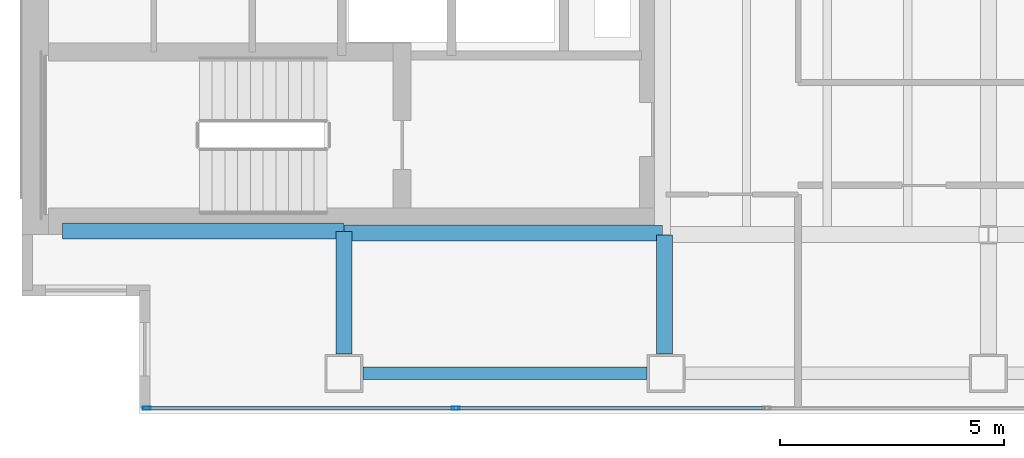
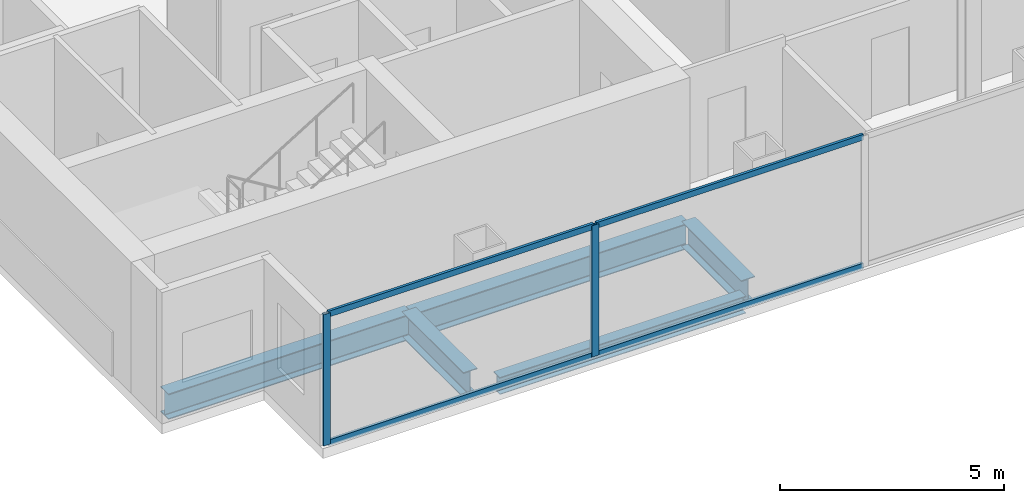
# One storey, part 2 of 23: 6 members, 5 beams, 1 element without a shape of its own.
"""IFC4 building model written with IfcOpenShell, lengths in metres."""

import ifcopenshell
import ifcopenshell.guid

model = None  # the IFC model being written
_history = None  # IfcOwnerHistory: only IFC2X3 demands one
_inside = {}  # id of a spatial element -> (the spatial element, [elements in it])
_under = {}  # id of a project, library or spatial element -> (it, [spatial elements below it])
_declared = {}  # id of a project -> (the project, [libraries it declares])
_typed = {}  # id of a type object -> (the type object, [elements of that type])
_made_of = {}  # id of a material, layer set ... -> (it, [elements and type objects made of it])


def new_model(schema):
    """Start an empty IFC model of exactly this schema.

    Asked for "IFC4X3", IfcOpenShell would pick the latest addendum, in which some entities
    have other attributes; the version numbers below select the first issue.
    IFC2X3 requires an IfcOwnerHistory on every rooted entity: one is made here for all.
    """
    global model, _history
    if schema == "IFC4X3":
        model = ifcopenshell.file(schema_version=(4, 3, 0, 0))
    else:
        model = ifcopenshell.file(schema=schema)
    _inside.clear()
    _under.clear()
    _declared.clear()
    _typed.clear()
    _made_of.clear()
    _history = None
    if model.schema == "IFC2X3":
        org = make("IfcOrganization", Name="unknown")
        user = make(
            "IfcPersonAndOrganization",
            ThePerson=make("IfcPerson", FamilyName="unknown"),
            TheOrganization=org,
        )
        app = make(
            "IfcApplication",
            ApplicationDeveloper=org,
            Version="unknown",
            ApplicationFullName="unknown",
            ApplicationIdentifier="unknown",
        )
        _history = make(
            "IfcOwnerHistory",
            OwningUser=user,
            OwningApplication=app,
            ChangeAction="ADDED",
            CreationDate=0,
        )
    return model


def make(cls, **values):
    """One entity of the class cls with the attributes given. An attribute that is None is left unset."""
    return model.create_entity(
        cls, **{name: value for name, value in values.items() if value is not None}
    )


def rooted(cls, **values):
    """An entity with a GlobalId (a new one), such as an element, a storey or a relation."""
    return make(cls, GlobalId=ifcopenshell.guid.new(), OwnerHistory=_history, **values)


def si_unit(unit_type, name, prefix=None):
    """IfcSIUnit, for example si_unit("LENGTHUNIT", "METRE", prefix="MILLI")."""
    return make("IfcSIUnit", UnitType=unit_type, Prefix=prefix, Name=name)


def assignment(units):
    """IfcUnitAssignment: the units of a project."""
    return None if units is None else make("IfcUnitAssignment", Units=units)


def point(xyz):
    """IfcCartesianPoint."""
    return None if xyz is None else make("IfcCartesianPoint", Coordinates=xyz)


def direction(xyz):
    """IfcDirection."""
    return None if xyz is None else make("IfcDirection", DirectionRatios=xyz)


def frame(location, z_axis=None, x_axis=None):
    """IfcAxis2Placement3D, a coordinate frame: its origin and axes. An axis left out is left unset."""
    return make(
        "IfcAxis2Placement3D",
        Location=point(location),
        Axis=direction(z_axis),
        RefDirection=direction(x_axis),
    )


def frame_2d(location, x_axis=None):
    """IfcAxis2Placement2D, a coordinate frame in the plane: its origin and x axis."""
    return make(
        "IfcAxis2Placement2D", Location=point(location), RefDirection=direction(x_axis)
    )


def origin():
    """The frame at (0, 0, 0) with its axes left unset."""
    return frame((0.0, 0.0, 0.0))


def origin_2d():
    """The frame at (0, 0) in the plane with its x axis left unset."""
    return frame_2d((0.0, 0.0))


def place(relative_to, where):
    """IfcLocalPlacement: puts the frame where relative to a parent placement (None: the world)."""
    return make(
        "IfcLocalPlacement", PlacementRelTo=relative_to, RelativePlacement=where
    )


def context(
    kind, dimensions, precision=None, world=None, true_north=None, identifier=None
):
    """IfcGeometricRepresentationContext, for example the 3D "Model" context."""
    return make(
        "IfcGeometricRepresentationContext",
        ContextIdentifier=identifier,
        ContextType=kind,
        CoordinateSpaceDimension=dimensions,
        Precision=precision,
        WorldCoordinateSystem=world,
        TrueNorth=true_north,
    )


def subcontext(parent, identifier, kind, view, scale=None):
    """IfcGeometricRepresentationSubContext, for example "Body" below "Model"."""
    return make(
        "IfcGeometricRepresentationSubContext",
        ContextIdentifier=identifier,
        ContextType=kind,
        ParentContext=parent,
        TargetScale=scale,
        TargetView=view,
    )


def project(units=None, contexts=None):
    """IfcProject with its units and contexts."""
    return rooted(
        "IfcProject",
        Name="project",
        RepresentationContexts=contexts,
        UnitsInContext=assignment(units),
    )


def spatial(cls, under=None, at=None, **own):
    """A site, building, storey or space (cls), placed at a placement, below another one or the project."""
    s = rooted(cls, ObjectPlacement=at, **own)
    if under is not None:
        _under.setdefault(under.id(), (under, []))[1].append(s)
    return s


def profile(cls, at=None, kind="AREA", **sizes):
    """A parametric profile (cls). Its sizes go by their IFC names, for example OverallWidth=200.0."""
    return make(cls, ProfileType=kind, Position=at, **sizes)


def hollow_rectangle(**sizes):
    """IfcRectangleHollowProfileDef."""
    return profile("IfcRectangleHollowProfileDef", **sizes)


def i_section(**sizes):
    """IfcIShapeProfileDef."""
    return profile("IfcIShapeProfileDef", **sizes)


def extrude(swept, where, along, depth):
    """IfcExtrudedAreaSolid: the profile swept, set in the frame where, extruded along a direction by depth."""
    return make(
        "IfcExtrudedAreaSolid",
        SweptArea=swept,
        Position=where,
        ExtrudedDirection=direction(along),
        Depth=depth,
    )


def shape(context_of_items, identifier, shape_type, items):
    """IfcShapeRepresentation: the items that make up one representation, for example the "Body"."""
    return make(
        "IfcShapeRepresentation",
        ContextOfItems=context_of_items,
        RepresentationIdentifier=identifier,
        RepresentationType=shape_type,
        Items=items,
    )


def material(Name=None, Category=None):
    """IfcMaterial."""
    return make("IfcMaterial", Name=Name, Category=Category)


def material_profile(
    of_material, cross_section, Name=None, Category=None, Priority=None
):
    """IfcMaterialProfile: a cross section and its material."""
    return make(
        "IfcMaterialProfile",
        Name=Name,
        Material=of_material,
        Profile=cross_section,
        Priority=Priority,
        Category=Category,
    )


def profile_set(profiles, Name=None, composite=None):
    """IfcMaterialProfileSet."""
    return make(
        "IfcMaterialProfileSet",
        Name=Name,
        MaterialProfiles=profiles,
        CompositeProfile=composite,
    )


def made_of(thing, what):
    """Note that an element or type object is made of a material, layer set ...; save() writes the relation."""
    if what is not None:
        _made_of.setdefault(what.id(), (what, []))[1].append(thing)
    return thing


def type_object(cls, material=None, **own):
    """A type object (cls), such as IfcWallType, which elements share."""
    return made_of(rooted(cls, **own), material)


def element(
    cls,
    number,
    at=None,
    inside=None,
    cuts=None,
    type_object=None,
    material=None,
    context=None,
    identifier="Body",
    shape_type=None,
    held_by="IfcProductDefinitionShape",
    body=None,
    shapes=None,
    **own,
):
    """One element of the class cls, such as IfcWall. Its Tag is "e" and its number.

    at: its placement. inside: the storey or other place that contains it. cuts: it is an
    opening in that element (IfcRelVoidsElement). A single representation is given by context,
    identifier, shape_type and body (its items); several are given by shapes. held_by: the class
    of the entity that holds the representations. save() writes the other relations.
    """
    e = rooted(cls, Tag="e%d" % number, ObjectPlacement=at, **own)
    if body is not None:
        shapes = [shape(context, identifier, shape_type, body)]
    if shapes is not None:
        e.Representation = make(held_by, Representations=shapes)
    if inside is not None:
        _inside.setdefault(inside.id(), (inside, []))[1].append(e)
    if cuts is not None:
        rooted(
            "IfcRelVoidsElement", RelatingBuildingElement=cuts, RelatedOpeningElement=e
        )
    if type_object is not None:
        _typed.setdefault(type_object.id(), (type_object, []))[1].append(e)
    return made_of(e, material)


def aggregate(whole, parts):
    """IfcRelAggregates: a whole, such as a stair, and the parts it consists of."""
    return rooted("IfcRelAggregates", RelatingObject=whole, RelatedObjects=parts)


def save(model, path):
    """Write the relations noted so far, then the file.

    IfcRelAggregates (storeys below a building ...), IfcRelContainedInSpatialStructure (elements
    in a storey), IfcRelDefinesByType, IfcRelAssociatesMaterial and IfcRelDeclares: one each for
    every whole, place, type object, material and project.
    """
    for whole, parts in _under.values():
        aggregate(whole, parts)
    for where, things in _inside.values():
        rooted(
            "IfcRelContainedInSpatialStructure",
            RelatedElements=things,
            RelatingStructure=where,
        )
    for kind, things in _typed.values():
        rooted("IfcRelDefinesByType", RelatedObjects=things, RelatingType=kind)
    for what, things in _made_of.values():
        rooted("IfcRelAssociatesMaterial", RelatedObjects=things, RelatingMaterial=what)
    for by, libraries in _declared.values():
        rooted("IfcRelDeclares", RelatingContext=by, RelatedDefinitions=libraries)
    model.write(path)


model = new_model("IFC4")

# Units and contexts
model_context = context("Model", 3, precision=1e-05, world=origin(), true_north=direction((0.0, 1.0)))
body_context = subcontext(model_context, "Body", "Model", "MODEL_VIEW")
ifc_project = project(units=[si_unit("LENGTHUNIT", "METRE"), si_unit("AREAUNIT", "SQUARE_METRE"), si_unit("VOLUMEUNIT", "CUBIC_METRE"), si_unit("PLANEANGLEUNIT", "RADIAN"), si_unit("MASSUNIT", "GRAM", prefix="KILO")], contexts=[model_context])

# Site, building, storey
site_placement = place(None, origin())
site = spatial("IfcSite", under=ifc_project, at=site_placement, CompositionType="ELEMENT")
building_placement = place(site_placement, origin())
building = spatial("IfcBuilding", under=site, at=building_placement, Name="Cobrela Telecom Tower", CompositionType="ELEMENT")
storey_placement = place(building_placement, frame((0.0, 0.0, 159.949951171875)))
storey = spatial("IfcBuildingStorey", under=building, at=storey_placement, Name="L40", CompositionType="ELEMENT", Elevation=159.949951171875)

# Beams
ifc_material_1 = material(Name="Steel ASTM A992 Grade 50", Category="steel")
ifc_material_profile_1 = material_profile(ifc_material_1, i_section(OverallWidth=0.35595703125, OverallDepth=0.696044921875, WebThickness=0.015380859375, FlangeThickness=0.024658203125, FilletRadius=0.01806640625, at=origin_2d()), Name="W27X146")
ifc_profile_set_1 = profile_set([ifc_material_profile_1], Name="Steel ASTM A992 Grade 50")
beam_type_1 = type_object("IfcBeamType", Name="BM-GIRD-05", PredefinedType="USERDEFINED", material=ifc_profile_set_1)
beam_1_placement = place(storey_placement, frame((0.905029296875, 7.280029296875, -0.617919921875), z_axis=(1.0, 0.0, 0.0), x_axis=(0.0, 1.0, 0.0)))
element("IfcBeam", 1, at=beam_1_placement, inside=storey, type_object=beam_type_1, Name="L40 Primary Girder X06", ObjectType="GIRDER", PredefinedType="USERDEFINED", context=body_context, shape_type="SweptSolid", body=[
    extrude(i_section(OverallWidth=0.35595703125, OverallDepth=0.696044921875, WebThickness=0.015380859375, FlangeThickness=0.024658203125, FilletRadius=0.01806640625, at=origin_2d()), origin(), (0.0, 0.0, 1.0), 6.2900390625),
])
beam_2_placement = place(storey_placement, frame((7.205078125, 7.239990234375, -0.617919921875), z_axis=(1.0, 0.0, 0.0), x_axis=(0.0, 1.0, 0.0)))
element("IfcBeam", 2, at=beam_2_placement, inside=storey, type_object=beam_type_1, Name="L40 Primary Girder X07", ObjectType="GIRDER", PredefinedType="USERDEFINED", context=body_context, shape_type="SweptSolid", body=[
    extrude(i_section(OverallWidth=0.35595703125, OverallDepth=0.696044921875, WebThickness=0.015380859375, FlangeThickness=0.024658203125, FilletRadius=0.01806640625, at=origin_2d()), origin(), (0.0, 0.0, 1.0), 7.10986328125),
])
beam_3_placement = place(storey_placement, frame((7.199951171875, 4.530029296875, -0.617919921875), z_axis=(0.0, 1.0, 0.0), x_axis=(-1.0, 0.0, 0.0)))
element("IfcBeam", 3, at=beam_3_placement, inside=storey, type_object=beam_type_1, Name="L40 Primary Girder Y27", ObjectType="GIRDER", PredefinedType="USERDEFINED", context=body_context, shape_type="SweptSolid", body=[
    extrude(i_section(OverallWidth=0.35595703125, OverallDepth=0.696044921875, WebThickness=0.015380859375, FlangeThickness=0.024658203125, FilletRadius=0.01806640625, at=origin_2d()), origin(), (0.0, 0.0, 1.0), 2.744873046875),
])
beam_4_placement = place(storey_placement, frame((14.360107421875, 4.530029296875, -0.617919921875), z_axis=(0.0, 1.0, 0.0), x_axis=(-1.0, 0.0, 0.0)))
element("IfcBeam", 4, at=beam_4_placement, inside=storey, type_object=beam_type_1, Name="L40 Primary Girder Y29", ObjectType="GIRDER", PredefinedType="USERDEFINED", context=body_context, shape_type="SweptSolid", body=[
    extrude(i_section(OverallWidth=0.35595703125, OverallDepth=0.696044921875, WebThickness=0.015380859375, FlangeThickness=0.024658203125, FilletRadius=0.01806640625, at=origin_2d()), origin(), (0.0, 0.0, 1.0), 2.6650390625),
])
ifc_material_profile_2 = material_profile(ifc_material_1, i_section(OverallWidth=0.281982421875, OverallDepth=0.467041015625, WebThickness=0.01220703125, FlangeThickness=0.01953125, FilletRadius=0.012939453125, at=origin_2d()), Name="W18X86")
ifc_profile_set_2 = profile_set([ifc_material_profile_2], Name="Steel ASTM A992 Grade 50")
beam_type_2 = type_object("IfcBeamType", Name="BM-SPAND-04", PredefinedType="SPANDREL", material=ifc_profile_set_2)
beam_5_placement = place(storey_placement, frame((7.6298828125, 4.10009765625, -0.50341796875), z_axis=(1.0, 0.0, 0.0), x_axis=(0.0, 1.0, 0.0)))
element("IfcBeam", 5, at=beam_5_placement, inside=storey, type_object=beam_type_2, Name="L40 Perimeter Spandrel X01", PredefinedType="SPANDREL", context=body_context, shape_type="SweptSolid", body=[
    extrude(i_section(OverallWidth=0.281982421875, OverallDepth=0.467041015625, WebThickness=0.01220703125, FlangeThickness=0.01953125, FilletRadius=0.012939453125, at=origin_2d()), origin(), (0.0, 0.0, 1.0), 6.340087890625),
])

# Curtain wall, members
ifc_material_2 = material(Name="Anodized Bronze Aluminium 6063-T6", Category="aluminium")
curtain_wall_type = type_object("IfcCurtainWallType", Name="CW-SYS-TEL", PredefinedType="USERDEFINED", material=ifc_material_2)
curtain_wall_placement = place(storey_placement, origin())
curtain_wall = element("IfcCurtainWall", 6, at=curtain_wall_placement, inside=storey, type_object=curtain_wall_type, Name="L40 Unitised Bronze Curtain Wall 17", ObjectType="UNITISED CURTAIN WALL", PredefinedType="USERDEFINED")
ifc_material_profile_3 = material_profile(ifc_material_2, hollow_rectangle(XDim=0.074951171875, YDim=0.179931640625, WallThickness=0.00390625, at=origin_2d()), Name="ALU 75x180x4")
ifc_profile_set_3 = profile_set([ifc_material_profile_3], Name="Anodized Bronze Aluminium 6063-T6")
member_type_1 = type_object("IfcMemberType", Name="CW-SYS-TEL-MUL", PredefinedType="MULLION", material=ifc_profile_set_3)
member_1_placement = place(storey_placement, frame((9.699951171875, 3.320068359375, 0.0), z_axis=(0.0, 0.0, 1.0), x_axis=(0.0, -1.0, 0.0)))
member_1 = element("IfcMember", 7, at=member_1_placement, type_object=member_type_1, Name="CW-TEL mullion 6", PredefinedType="MULLION", context=body_context, shape_type="SweptSolid", body=[
    extrude(hollow_rectangle(XDim=0.074951171875, YDim=0.179931640625, WallThickness=0.00390625, at=origin_2d()), origin(), (0.0, 0.0, 1.0), 3.580078125),
])
member_2_placement = place(storey_placement, frame((2.78759765625, 3.320068359375, 0.0), z_axis=(0.0, 0.0, 1.0), x_axis=(0.0, -1.0, 0.0)))
member_2 = element("IfcMember", 8, at=member_2_placement, type_object=member_type_1, Name="CW-TEL mullion 7", PredefinedType="MULLION", context=body_context, shape_type="SweptSolid", body=[
    extrude(hollow_rectangle(XDim=0.074951171875, YDim=0.179931640625, WallThickness=0.00390625, at=origin_2d()), origin(), (0.0, 0.0, 1.0), 3.580078125),
])
ifc_material_profile_4 = material_profile(ifc_material_2, hollow_rectangle(XDim=0.070068359375, YDim=0.159912109375, WallThickness=0.00390625, at=origin_2d()), Name="ALU 70x160x4")
ifc_profile_set_4 = profile_set([ifc_material_profile_4], Name="Anodized Bronze Aluminium 6063-T6")
member_type_2 = type_object("IfcMemberType", Name="CW-SYS-TEL-TRN", PredefinedType="USERDEFINED", material=ifc_profile_set_4)
member_3_placement = place(storey_placement, frame((16.612548828125, 3.320068359375, 0.03515625), z_axis=(-1.0, 0.0, 0.0), x_axis=(0.0, -1.0, 0.0)))
member_3 = element("IfcMember", 9, at=member_3_placement, type_object=member_type_2, Name="CW-TEL transom 5.1", ObjectType="TRANSOM", PredefinedType="USERDEFINED", context=body_context, shape_type="SweptSolid", body=[
    extrude(hollow_rectangle(XDim=0.070068359375, YDim=0.159912109375, WallThickness=0.00390625, at=origin_2d()), origin(), (0.0, 0.0, 1.0), 6.875),
])
member_4_placement = place(storey_placement, frame((16.612548828125, 3.320068359375, 3.545166015625), z_axis=(-1.0, 0.0, 0.0), x_axis=(0.0, -1.0, 0.0)))
member_4 = element("IfcMember", 10, at=member_4_placement, type_object=member_type_2, Name="CW-TEL transom 5.2", ObjectType="TRANSOM", PredefinedType="USERDEFINED", context=body_context, shape_type="SweptSolid", body=[
    extrude(hollow_rectangle(XDim=0.070068359375, YDim=0.159912109375, WallThickness=0.00390625, at=origin_2d()), origin(), (0.0, 0.0, 1.0), 6.875),
])
member_5_placement = place(storey_placement, frame((9.66259765625, 3.320068359375, 0.03515625), z_axis=(-1.0, 0.0, 0.0), x_axis=(0.0, -1.0, 0.0)))
member_5 = element("IfcMember", 11, at=member_5_placement, type_object=member_type_2, Name="CW-TEL transom 6.1", ObjectType="TRANSOM", PredefinedType="USERDEFINED", context=body_context, shape_type="SweptSolid", body=[
    extrude(hollow_rectangle(XDim=0.070068359375, YDim=0.159912109375, WallThickness=0.00390625, at=origin_2d()), origin(), (0.0, 0.0, 1.0), 6.837646484375),
])
member_6_placement = place(storey_placement, frame((9.66259765625, 3.320068359375, 3.545166015625), z_axis=(-1.0, 0.0, 0.0), x_axis=(0.0, -1.0, 0.0)))
member_6 = element("IfcMember", 12, at=member_6_placement, type_object=member_type_2, Name="CW-TEL transom 6.2", ObjectType="TRANSOM", PredefinedType="USERDEFINED", context=body_context, shape_type="SweptSolid", body=[
    extrude(hollow_rectangle(XDim=0.070068359375, YDim=0.159912109375, WallThickness=0.00390625, at=origin_2d()), origin(), (0.0, 0.0, 1.0), 6.837646484375),
])
aggregate(curtain_wall, [member_1, member_2, member_3, member_4, member_5, member_6])

save(model, "model.ifc")
